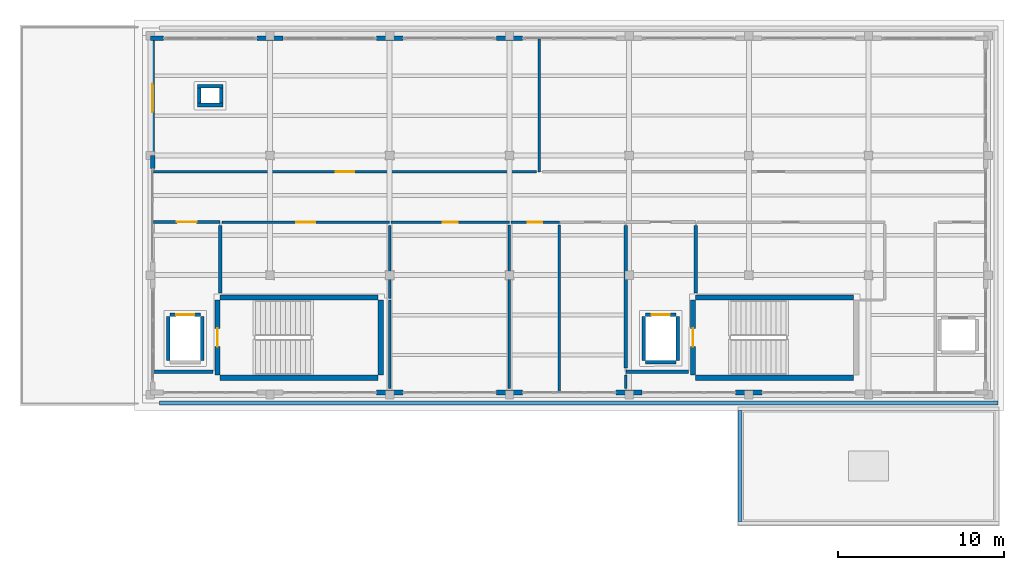
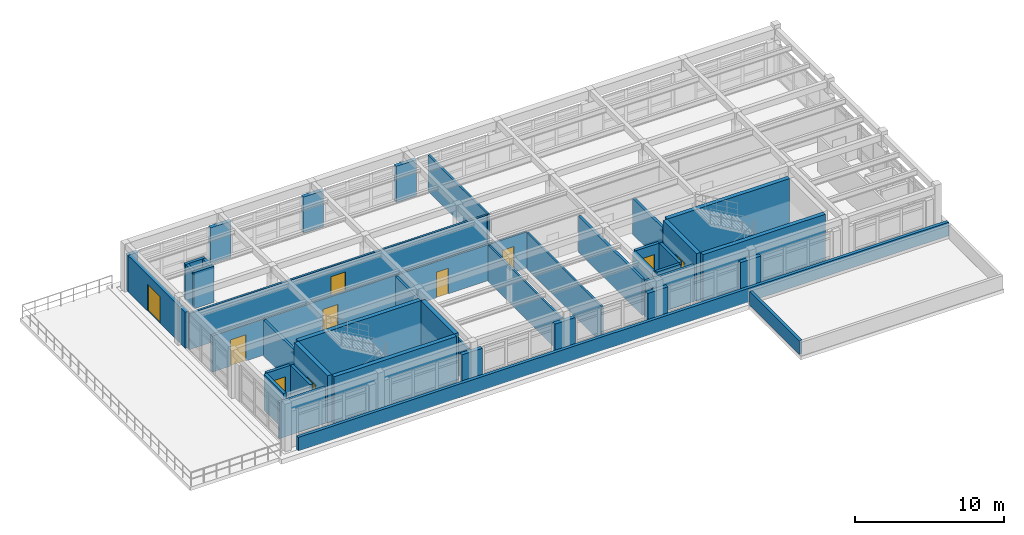
# One storey, part 11 of 15: 46 walls, 10 doors, 10 openings.
"""IFC4 building model written with IfcOpenShell, lengths in metres."""

from ifc_helpers import new_model, si_unit, direction, frame, frame_2d, origin, place, context, subcontext, project, spatial, rectangle, extrude, material, layer, layer_set, type_object, element, fill, save


model = new_model("IFC4")

# Units and contexts
model_context = context("Model", 3, precision=1e-05, world=origin(), true_north=direction((0.0, 1.0)))
body_context = subcontext(model_context, "Body", "Model", "MODEL_VIEW")
ifc_project = project(units=[si_unit("LENGTHUNIT", "METRE"), si_unit("AREAUNIT", "SQUARE_METRE"), si_unit("VOLUMEUNIT", "CUBIC_METRE"), si_unit("PLANEANGLEUNIT", "RADIAN"), si_unit("MASSUNIT", "GRAM", prefix="KILO")], contexts=[model_context])

# Site, building, storey
site_placement = place(None, origin())
site = spatial("IfcSite", under=ifc_project, at=site_placement, CompositionType="ELEMENT")
building_placement = place(site_placement, origin())
building = spatial("IfcBuilding", under=site, at=building_placement, Name="Solenvale Faculty of Natural Sciences", CompositionType="ELEMENT")
storey_placement = place(building_placement, frame((0.0, 0.0, 48.0)))
storey = spatial("IfcBuildingStorey", under=building, at=storey_placement, Name="L11", CompositionType="ELEMENT", Elevation=48.0)

# Wall, opening, door
ifc_material_1 = material(Name="Precast concrete 40 MPa", Category="concrete")
ifc_layer_1 = layer(ifc_material_1, 0.264892578125)
ifc_layer_set_1 = layer_set([ifc_layer_1], Name="Precast concrete 40 MPa")
wall_type_1 = type_object("IfcWallType", Name="WL-EXT-PRC-265", PredefinedType="STANDARD", material=ifc_layer_set_1)
wall_1_placement = place(storey_placement, frame((100.9326171875, 108.0, 0.0), z_axis=(0.0, 0.0, 1.0), x_axis=(0.0, 1.0, 0.0)))
wall_1 = element("IfcWall", 1, at=wall_1_placement, inside=storey, type_object=wall_type_1, Name="L11 Exterior Wall 3.1", PredefinedType="STANDARD", context=body_context, shape_type="SweptSolid", body=[
    extrude(rectangle(XDim=6.9150390625, YDim=0.264892578125, at=frame_2d((3.45751953125, 0.0))), origin(), (0.0, 0.0, 1.0), 2.9599609375),
])
opening_1_placement = place(wall_1_placement, frame((2.60791015625, 0.0, 0.0)))
opening_1 = element("IfcOpeningElement", 2, at=opening_1_placement, cuts=wall_1, Name="Opening TD-48", PredefinedType="OPENING", context=body_context, shape_type="SweptSolid", body=[
    extrude(rectangle(XDim=1.699951171875, YDim=2.199951171875, at=frame_2d((0.85009765625, 1.10009765625))), frame((0.0, 0.142333984375, 0.0), z_axis=(0.0, -1.0, 0.0), x_axis=(1.0, 0.0, 0.0)), (0.0, 0.0, 1.0), 0.284912109375),
])
ifc_material_2 = material(Name="Anodised bronze aluminium", Category="aluminium")
door_type_1 = type_object("IfcDoorType", Name="DR-TER-1700x2200", OperationType="NOTDEFINED", PredefinedType="DOOR", material=ifc_material_2)
door_1_placement = place(opening_1_placement, origin())
door_1 = element("IfcDoor", 3, at=door_1_placement, inside=storey, type_object=door_type_1, Name="L11 Exterior Terrace Door TD-48", OperationType="DOUBLE_DOOR_SINGLE_SWING", OverallHeight=2.199951171875, OverallWidth=1.699951171875, PredefinedType="DOOR", context=body_context, shape_type="SweptSolid", body=[
    extrude(rectangle(XDim=1.699951171875, YDim=2.199951171875, at=frame_2d((0.85009765625, 1.10009765625))), frame((0.0, 0.02490234375, 0.0), z_axis=(0.0, -1.0, 0.0), x_axis=(1.0, 0.0, 0.0)), (0.0, 0.0, 1.0), 0.050048828125),
])
fill(opening_1, door_1)

# Walls
ifc_layer_2 = layer(ifc_material_1, 0.284912109375)
ifc_layer_set_2 = layer_set([ifc_layer_2], Name="Precast concrete 40 MPa")
wall_type_2 = type_object("IfcWallType", Name="WL-EXT-PRC-285", PredefinedType="STANDARD", material=ifc_layer_set_2)
for number, where, z_axis, x_axis, name in (
    (4, (123.18798828125, 115.0576171875, 0.0), (0.0, 0.0, 1.0), (-1.0, 0.0, 0.0), "L11 Facade Closure Pier 2.B4-R"),
    (5, (115.988037109375, 115.0576171875, 0.0), (0.0, 0.0, 1.0), (-1.0, 0.0, 0.0), "L11 Facade Closure Pier 2.B5-R"),
):
    element("IfcWall", number, at=place(storey_placement, frame(where, z_axis=z_axis, x_axis=x_axis)), inside=storey, type_object=wall_type_2, Name=name, PredefinedType="STANDARD", context=body_context, shape_type="SweptSolid", body=[
        extrude(rectangle(XDim=1.575927734375, YDim=0.284912109375, at=frame_2d((0.7880859375, 0.0))), origin(), (0.0, 0.0, 1.0), 2.9599609375),
    ])
wall_2_placement = place(storey_placement, frame((108.7880859375, 115.0576171875, 0.0), z_axis=(0.0, 0.0, 1.0), x_axis=(-1.0, 0.0, 0.0)))
element("IfcWall", 6, at=wall_2_placement, inside=storey, type_object=wall_type_2, Name="L11 Facade Closure Pier 2.B6-R", PredefinedType="STANDARD", context=body_context, shape_type="SweptSolid", body=[
    extrude(rectangle(XDim=1.576171875, YDim=0.284912109375, at=frame_2d((0.7880859375, 0.0))), origin(), (0.0, 0.0, 1.0), 2.9599609375),
])
wall_3_placement = place(storey_placement, frame((101.587890625, 115.0576171875, 0.0), z_axis=(0.0, 0.0, 1.0), x_axis=(-1.0, 0.0, 0.0)))
element("IfcWall", 7, at=wall_3_placement, inside=storey, type_object=wall_type_2, Name="L11 Facade Closure Pier 2.B7-R", PredefinedType="STANDARD", context=body_context, shape_type="SweptSolid", body=[
    extrude(rectangle(XDim=0.787841796875, YDim=0.284912109375, at=frame_2d((0.39404296875, 0.0))), origin(), (0.0, 0.0, 1.0), 2.9599609375),
])
wall_4_placement = place(storey_placement, frame((100.9423828125, 108.0, 0.0), z_axis=(0.0, 0.0, 1.0), x_axis=(0.0, -1.0, 0.0)))
element("IfcWall", 8, at=wall_4_placement, inside=storey, type_object=wall_type_2, Name="L11 Facade Closure Pier 3.B2-L", PredefinedType="STANDARD", context=body_context, shape_type="SweptSolid", body=[
    extrude(rectangle(XDim=0.7880859375, YDim=0.284912109375, at=frame_2d((0.39404296875, 0.0))), origin(), (0.0, 0.0, 1.0), 2.9599609375),
])
for number, where, z_axis, x_axis, name in (
    (9, (114.412109375, 93.742431640625, 0.0), (0.0, 0.0, 1.0), (1.0, 0.0, 0.0), "L11 Facade Closure Pier 4.B2-R"),
    (10, (121.612060546875, 93.742431640625, 0.0), (0.0, 0.0, 1.0), (1.0, 0.0, 0.0), "L11 Facade Closure Pier 4.B3-R"),
    (11, (128.81201171875, 93.742431640625, 0.0), (0.0, 0.0, 1.0), (1.0, 0.0, 0.0), "L11 Facade Closure Pier 4.B4-R"),
    (12, (136.011962890625, 93.742431640625, 0.0), (0.0, 0.0, 1.0), (1.0, 0.0, 0.0), "L11 Facade Closure Pier 4.B5-R"),
):
    element("IfcWall", number, at=place(storey_placement, frame(where, z_axis=z_axis, x_axis=x_axis)), inside=storey, type_object=wall_type_2, Name=name, PredefinedType="STANDARD", context=body_context, shape_type="SweptSolid", body=[
        extrude(rectangle(XDim=1.575927734375, YDim=0.284912109375, at=frame_2d((0.7880859375, 0.0))), origin(), (0.0, 0.0, 1.0), 2.9599609375),
    ])
ifc_material_3 = material(Name="Gypsum fire-rated shaftwall")
ifc_layer_3 = layer(ifc_material_3, 0.205078125)
ifc_layer_set_3 = layer_set([ifc_layer_3], Name="Gypsum fire-rated shaftwall")
wall_type_3 = type_object("IfcWallType", Name="WL-FFL-205", PredefinedType="PARTITIONING", material=ifc_layer_set_3)
wall_5_placement = place(storey_placement, frame((104.56591796875, 95.0, 0.0), z_axis=(0.0, 0.0, 1.0), x_axis=(-1.0, 0.0, 0.0)))
element("IfcWall", 13, at=wall_5_placement, inside=storey, type_object=wall_type_3, Name="L11 Firefighting Lobby C4 Partition 18", PredefinedType="PARTITIONING", context=body_context, shape_type="SweptSolid", body=[
    extrude(rectangle(XDim=3.5830078125, YDim=0.205078125, at=frame_2d((1.79150390625, 0.0))), origin(), (0.0, 0.0, 1.0), 2.9599609375),
])

# Wall, opening, door
wall_6_placement = place(storey_placement, frame((100.98291015625, 104.0, 0.0), z_axis=(0.0, 0.0, 1.0), x_axis=(1.0, 0.0, 0.0)))
wall_6 = element("IfcWall", 14, at=wall_6_placement, inside=storey, type_object=wall_type_3, Name="L11 Firefighting Lobby C4 Partition 20", PredefinedType="PARTITIONING", context=body_context, shape_type="SweptSolid", body=[
    extrude(rectangle(XDim=4.01708984375, YDim=0.205078125, at=frame_2d((2.008544921875, 0.0))), origin(), (0.0, 0.0, 1.0), 2.9599609375),
])
opening_2_placement = place(wall_6_placement, frame((1.407958984375, 0.0, 0.0)))
opening_2 = element("IfcOpeningElement", 15, at=opening_2_placement, cuts=wall_6, Name="Opening D-L11-01", PredefinedType="OPENING", context=body_context, shape_type="SweptSolid", body=[
    extrude(rectangle(XDim=1.199951171875, YDim=2.14990234375, at=frame_2d((0.60009765625, 1.074951171875))), frame((0.0, 0.112548828125, 0.0), z_axis=(0.0, -1.0, 0.0), x_axis=(1.0, 0.0, 0.0)), (0.0, 0.0, 1.0), 0.22509765625),
])
ifc_material_4 = material(Name="Galvanised steel S355", Category="steel")
door_type_2 = type_object("IfcDoorType", Name="DR-FFL-1200x2150", OperationType="NOTDEFINED", PredefinedType="DOOR", material=ifc_material_4)
door_2_placement = place(opening_2_placement, origin())
door_2 = element("IfcDoor", 16, at=door_2_placement, inside=storey, type_object=door_type_2, Name="L11 Firefighting Lobby C4 Door", OperationType="SINGLE_SWING_RIGHT", OverallHeight=2.14990234375, OverallWidth=1.199951171875, PredefinedType="DOOR", context=body_context, shape_type="SweptSolid", body=[
    extrude(rectangle(XDim=1.199951171875, YDim=2.14990234375, at=frame_2d((0.60009765625, 1.074951171875))), frame((0.0, 0.02490234375, 0.0), z_axis=(0.0, -1.0, 0.0), x_axis=(1.0, 0.0, 0.0)), (0.0, 0.0, 1.0), 0.050048828125),
])
fill(opening_2, door_2)

# Walls
for number, where, z_axis, x_axis, name in (
    (17, (105.0, 103.782958984375, 0.0), (0.0, 0.0, 1.0), (0.0, -1.0, 0.0), "L11 Firefighting Lobby C4 Partition 21"),
    (18, (133.60009765625, 103.782958984375, 0.0), (0.0, 0.0, 1.0), (0.0, -1.0, 0.0), "L11 Firefighting Lobby C5 Partition 2"),
):
    element("IfcWall", number, at=place(storey_placement, frame(where, z_axis=z_axis, x_axis=x_axis)), inside=storey, type_object=wall_type_3, Name=name, PredefinedType="PARTITIONING", context=body_context, shape_type="SweptSolid", body=[
        extrude(rectangle(XDim=4.049072265625, YDim=0.205078125, at=frame_2d((2.0244140625, 0.0))), origin(), (0.0, 0.0, 1.0), 2.9599609375),
    ])
wall_7_placement = place(storey_placement, frame((133.166015625, 95.0, 0.0), z_axis=(0.0, 0.0, 1.0), x_axis=(-1.0, 0.0, 0.0)))
element("IfcWall", 19, at=wall_7_placement, inside=storey, type_object=wall_type_3, Name="L11 Firefighting Lobby C5 Partition 20", PredefinedType="PARTITIONING", context=body_context, shape_type="SweptSolid", body=[
    extrude(rectangle(XDim=3.76611328125, YDim=0.205078125, at=frame_2d((1.883056640625, 0.0))), origin(), (0.0, 0.0, 1.0), 2.9599609375),
])
wall_8_placement = place(storey_placement, frame((129.39990234375, 95.217041015625, 0.0), z_axis=(0.0, 0.0, 1.0), x_axis=(0.0, 1.0, 0.0)))
element("IfcWall", 20, at=wall_8_placement, inside=storey, type_object=wall_type_3, Name="L11 Firefighting Lobby C5 Partition 21", PredefinedType="PARTITIONING", context=body_context, shape_type="SweptSolid", body=[
    extrude(rectangle(XDim=8.56591796875, YDim=0.205078125, at=frame_2d((4.282958984375, 0.0))), origin(), (0.0, 0.0, 1.0), 2.9599609375),
])
ifc_material_5 = material(Name="Acoustic stud gypsum partition")
ifc_layer_4 = layer(ifc_material_5, 0.14794921875)
ifc_layer_set_4 = layer_set([ifc_layer_4], Name="Acoustic stud gypsum partition")
wall_type_4 = type_object("IfcWallType", Name="WL-OFF-148", PredefinedType="PARTITIONING", material=ifc_layer_set_4)
wall_9_placement = place(storey_placement, frame((115.199951171875, 93.970947265625, 0.0), z_axis=(0.0, 0.0, 1.0), x_axis=(0.0, 1.0, 0.0)))
element("IfcWall", 21, at=wall_9_placement, inside=storey, type_object=wall_type_4, Name="L11 Visiting Scholars Faculty Staff Office Partition 1", PredefinedType="PARTITIONING", context=body_context, shape_type="SweptSolid", body=[
    extrude(rectangle(XDim=5.343017578125, YDim=0.14794921875, at=frame_2d((2.67138671875, 0.0))), origin(), (0.0, 0.0, 1.0), 2.9599609375),
])

# Wall, opening, door
wall_10_placement = place(storey_placement, frame((115.285888671875, 103.97998046875, 0.0), z_axis=(0.0, 0.0, 1.0), x_axis=(1.0, 0.0, 0.0)))
wall_10 = element("IfcWall", 22, at=wall_10_placement, inside=storey, type_object=wall_type_4, Name="L11 Visiting Scholars Faculty Staff Office Partition 19", PredefinedType="PARTITIONING", context=body_context, shape_type="SweptSolid", body=[
    extrude(rectangle(XDim=7.114013671875, YDim=0.14794921875, at=frame_2d((3.55712890625, 0.0))), origin(), (0.0, 0.0, 1.0), 2.9599609375),
])
opening_3_placement = place(wall_10_placement, frame((3.096923828125, 0.0, 0.0)))
opening_3 = element("IfcOpeningElement", 23, at=opening_3_placement, cuts=wall_10, Name="Opening D-L11-06", PredefinedType="OPENING", context=body_context, shape_type="SweptSolid", body=[
    extrude(rectangle(XDim=0.919921875, YDim=2.10009765625, at=frame_2d((0.4599609375, 1.050048828125))), frame((0.0, 0.083984375, 0.0), z_axis=(0.0, -1.0, 0.0), x_axis=(1.0, 0.0, 0.0)), (0.0, 0.0, 1.0), 0.16796875),
])
ifc_material_6 = material(Name="Oak acoustic timber leaf", Category="wood")
door_type_3 = type_object("IfcDoorType", Name="DR-OFF-0920x2100", OperationType="NOTDEFINED", PredefinedType="DOOR", material=ifc_material_6)
door_3_placement = place(opening_3_placement, origin())
door_3 = element("IfcDoor", 24, at=door_3_placement, inside=storey, type_object=door_type_3, Name="L11 Visiting Scholars Faculty Staff Office Door", OperationType="SINGLE_SWING_LEFT", OverallHeight=2.10009765625, OverallWidth=0.919921875, PredefinedType="DOOR", context=body_context, shape_type="SweptSolid", body=[
    extrude(rectangle(XDim=0.919921875, YDim=2.10009765625, at=frame_2d((0.4599609375, 1.050048828125))), frame((0.0, 0.02490234375, 0.0), z_axis=(0.0, -1.0, 0.0), x_axis=(1.0, 0.0, 0.0)), (0.0, 0.0, 1.0), 0.050048828125),
])
fill(opening_3, door_3)

# Walls
wall_11_placement = place(storey_placement, frame((122.39990234375, 103.820068359375, 0.0), z_axis=(0.0, 0.0, 1.0), x_axis=(0.0, -1.0, 0.0)))
element("IfcWall", 25, at=wall_11_placement, inside=storey, type_object=wall_type_4, Name="L11 Visiting Scholars Faculty Staff Office Partition 20", PredefinedType="PARTITIONING", context=body_context, shape_type="SweptSolid", body=[
    extrude(rectangle(XDim=9.84912109375, YDim=0.14794921875, at=frame_2d((4.924560546875, 0.0))), origin(), (0.0, 0.0, 1.0), 2.9599609375),
])
ifc_material_7 = material(Name="Architectural bronze concrete 40 MPa", Category="concrete")
ifc_layer_5 = layer(ifc_material_7, 0.239990234375)
ifc_layer_set_5 = layer_set([ifc_layer_5], Name="Architectural bronze concrete 40 MPa")
wall_type_5 = type_object("IfcWallType", Name="WL-PAR-BRZ-240", PredefinedType="PARAPET", material=ifc_layer_set_5)
wall_12_placement = place(storey_placement, frame((151.800048828125, 93.1201171875, 0.0), z_axis=(0.0, 0.0, 1.0), x_axis=(-1.0, 0.0, 0.0)))
element("IfcWall", 26, at=wall_12_placement, inside=storey, type_object=wall_type_5, Name="L11 Tower Horizontal Concrete Band 3", PredefinedType="PARAPET", context=body_context, shape_type="SweptSolid", body=[
    extrude(rectangle(XDim=50.43994140625, YDim=0.239990234375, at=frame_2d((25.219970703125, 0.0))), origin(), (0.0, 0.0, 1.0), 1.1201171875),
])
ifc_layer_6 = layer(ifc_material_1, 0.219970703125)
ifc_layer_set_6 = layer_set([ifc_layer_6], Name="Precast concrete 40 MPa")
wall_type_6 = type_object("IfcWallType", Name="WL-PAR-PRC-220", PredefinedType="PARAPET", material=ifc_layer_set_6)
wall_13_placement = place(storey_placement, frame((136.27001953125, 85.97998046875, 0.0), z_axis=(0.0, 0.0, 1.0), x_axis=(0.0, 1.0, 0.0)))
element("IfcWall", 27, at=wall_13_placement, inside=storey, type_object=wall_type_6, Name="L11 Roof Parapet 7.1", PredefinedType="PARAPET", context=body_context, shape_type="SweptSolid", body=[
    extrude(rectangle(XDim=6.679931640625, YDim=0.219970703125, at=frame_2d((3.33984375, 0.0))), origin(), (0.0, 0.0, 1.0), 1.1201171875),
])
ifc_material_8 = material(Name="Acoustic double-stud gypsum partition")
ifc_layer_7 = layer(ifc_material_8, 0.1650390625)
ifc_layer_set_7 = layer_set([ifc_layer_7], Name="Acoustic double-stud gypsum partition")
wall_type_7 = type_object("IfcWallType", Name="WL-SEM-165", PredefinedType="PARTITIONING", material=ifc_layer_set_7)
wall_14_placement = place(storey_placement, frame((124.199951171875, 115.01708984375, 0.0), z_axis=(0.0, 0.0, 1.0), x_axis=(0.0, -1.0, 0.0)))
element("IfcWall", 28, at=wall_14_placement, inside=storey, type_object=wall_type_7, Name="L11 Colloquium Seminar Room Partition 3", PredefinedType="PARTITIONING", context=body_context, shape_type="SweptSolid", body=[
    extrude(rectangle(XDim=7.9970703125, YDim=0.1650390625, at=frame_2d((3.99853515625, 0.0))), origin(), (0.0, 0.0, 1.0), 2.9599609375),
])

# Wall, opening, door
wall_15_placement = place(storey_placement, frame((124.02294921875, 107.02001953125, 0.0), z_axis=(0.0, 0.0, 1.0), x_axis=(-1.0, 0.0, 0.0)))
wall_15 = element("IfcWall", 29, at=wall_15_placement, inside=storey, type_object=wall_type_7, Name="L11 Colloquium Seminar Room Partition 4", PredefinedType="PARTITIONING", context=body_context, shape_type="SweptSolid", body=[
    extrude(rectangle(XDim=23.0400390625, YDim=0.1650390625, at=frame_2d((11.52001953125, 0.0))), origin(), (0.0, 0.0, 1.0), 2.9599609375),
])
opening_4_placement = place(wall_15_placement, frame((10.9599609375, 0.0, 0.0)))
opening_4 = element("IfcOpeningElement", 30, at=opening_4_placement, cuts=wall_15, Name="Opening D-L11-03", PredefinedType="OPENING", context=body_context, shape_type="SweptSolid", body=[
    extrude(rectangle(XDim=1.1201171875, YDim=2.14990234375, at=frame_2d((0.56005859375, 1.074951171875))), frame((0.0, 0.092529296875, 0.0), z_axis=(0.0, -1.0, 0.0), x_axis=(1.0, 0.0, 0.0)), (0.0, 0.0, 1.0), 0.18505859375),
])
door_type_4 = type_object("IfcDoorType", Name="DR-SEM-1120x2150", OperationType="NOTDEFINED", PredefinedType="DOOR", material=ifc_material_6)
door_4_placement = place(opening_4_placement, origin())
door_4 = element("IfcDoor", 31, at=door_4_placement, inside=storey, type_object=door_type_4, Name="L11 Colloquium Seminar Room Door", OperationType="SINGLE_SWING_RIGHT", OverallHeight=2.14990234375, OverallWidth=1.1201171875, PredefinedType="DOOR", context=body_context, shape_type="SweptSolid", body=[
    extrude(rectangle(XDim=1.1201171875, YDim=2.14990234375, at=frame_2d((0.56005859375, 1.074951171875))), frame((0.0, 0.02490234375, 0.0), z_axis=(0.0, -1.0, 0.0), x_axis=(1.0, 0.0, 0.0)), (0.0, 0.0, 1.0), 0.050048828125),
])
fill(opening_4, door_4)

ifc_layer_8 = layer(ifc_material_8, 0.169921875)
ifc_layer_set_8 = layer_set([ifc_layer_8], Name="Acoustic double-stud gypsum partition")
wall_type_8 = type_object("IfcWallType", Name="WL-SEM-170", PredefinedType="PARTITIONING", material=ifc_layer_set_8)
wall_16_placement = place(storey_placement, frame((105.096923828125, 103.97998046875, 0.0), z_axis=(0.0, 0.0, 1.0), x_axis=(1.0, 0.0, 0.0)))
wall_16 = element("IfcWall", 32, at=wall_16_placement, inside=storey, type_object=wall_type_8, Name="L11 Graduate Thesis Reading Room Partition 15", PredefinedType="PARTITIONING", context=body_context, shape_type="SweptSolid", body=[
    extrude(rectangle(XDim=10.10302734375, YDim=0.169921875, at=frame_2d((5.051513671875, 0.0))), origin(), (0.0, 0.0, 1.0), 2.9599609375),
])
opening_5_placement = place(wall_16_placement, frame((4.47705078125, 0.0, 0.0)))
opening_5 = element("IfcOpeningElement", 33, at=opening_5_placement, cuts=wall_16, Name="Opening D-L11-05", PredefinedType="OPENING", context=body_context, shape_type="SweptSolid", body=[
    extrude(rectangle(XDim=1.14990234375, YDim=2.14990234375, at=frame_2d((0.574951171875, 1.074951171875))), frame((0.0, 0.094970703125, 0.0), z_axis=(0.0, -1.0, 0.0), x_axis=(1.0, 0.0, 0.0)), (0.0, 0.0, 1.0), 0.18994140625),
])
door_type_5 = type_object("IfcDoorType", Name="DR-SEM-1150x2150", OperationType="NOTDEFINED", PredefinedType="DOOR", material=ifc_material_6)
door_5_placement = place(opening_5_placement, origin())
door_5 = element("IfcDoor", 34, at=door_5_placement, inside=storey, type_object=door_type_5, Name="L11 Graduate Thesis Reading Room Door", OperationType="SINGLE_SWING_RIGHT", OverallHeight=2.14990234375, OverallWidth=1.14990234375, PredefinedType="DOOR", context=body_context, shape_type="SweptSolid", body=[
    extrude(rectangle(XDim=1.14990234375, YDim=2.14990234375, at=frame_2d((0.574951171875, 1.074951171875))), frame((0.0, 0.02490234375, 0.0), z_axis=(0.0, -1.0, 0.0), x_axis=(1.0, 0.0, 0.0)), (0.0, 0.0, 1.0), 0.050048828125),
])
fill(opening_5, door_5)

# Wall
wall_17_placement = place(storey_placement, frame((115.199951171875, 103.798095703125, 0.0), z_axis=(0.0, 0.0, 1.0), x_axis=(0.0, -1.0, 0.0)))
element("IfcWall", 35, at=wall_17_placement, inside=storey, type_object=wall_type_8, Name="L11 Graduate Thesis Reading Room Partition 16", PredefinedType="PARTITIONING", context=body_context, shape_type="SweptSolid", body=[
    extrude(rectangle(XDim=4.398193359375, YDim=0.169921875, at=frame_2d((2.19921875, 0.0))), origin(), (0.0, 0.0, 1.0), 2.9599609375),
])

# Wall, opening, door
ifc_material_9 = material(Name="Concrete 40 MPa", Category="concrete")
ifc_layer_9 = layer(ifc_material_9, 0.219970703125)
ifc_layer_set_9 = layer_set([ifc_layer_9], Name="Concrete 40 MPa")
wall_type_9 = type_object("IfcWallType", Name="WL-SHF-220", PredefinedType="STANDARD", material=ifc_layer_set_9)
wall_18_placement = place(storey_placement, frame((101.97998046875, 98.429931640625, 0.0), z_axis=(0.0, 0.0, 1.0), x_axis=(1.0, 0.0, 0.0)))
wall_18 = element("IfcWall", 36, at=wall_18_placement, inside=storey, type_object=wall_type_9, Name="Elevator LF-01 L11 Shaft Wall N", PredefinedType="STANDARD", context=body_context, shape_type="SweptSolid", body=[
    extrude(rectangle(XDim=1.840087890625, YDim=0.219970703125, at=frame_2d((0.919921875, 0.0))), origin(), (0.0, 0.0, 1.0), 2.9599609375),
])
opening_6_placement = place(wall_18_placement, frame((0.3701171875, 0.0, 0.0)))
opening_6 = element("IfcOpeningElement", 37, at=opening_6_placement, cuts=wall_18, Name="Opening LD-LF-01-L11", PredefinedType="OPENING", context=body_context, shape_type="SweptSolid", body=[
    extrude(rectangle(XDim=1.10009765625, YDim=2.14990234375, at=frame_2d((0.550048828125, 1.074951171875))), frame((0.0, 0.119873046875, 0.0), z_axis=(0.0, -1.0, 0.0), x_axis=(1.0, 0.0, 0.0)), (0.0, 0.0, 1.0), 0.239990234375),
])
ifc_material_10 = material(Name="Stainless steel Grade 304", Category="steel")
door_type_6 = type_object("IfcDoorType", Name="DR-LIFT-1100x2150", OperationType="NOTDEFINED", PredefinedType="DOOR", material=ifc_material_10)
door_6_placement = place(opening_6_placement, origin())
door_6 = element("IfcDoor", 38, at=door_6_placement, inside=storey, type_object=door_type_6, Name="Elevator LF-01 L11 Sliding Landing Door", OperationType="SLIDING_TO_RIGHT", OverallHeight=2.14990234375, OverallWidth=1.10009765625, PredefinedType="DOOR", context=body_context, shape_type="SweptSolid", body=[
    extrude(rectangle(XDim=1.10009765625, YDim=2.14990234375, at=frame_2d((0.550048828125, 1.074951171875))), frame((0.0, 0.02490234375, 0.0), z_axis=(0.0, -1.0, 0.0), x_axis=(1.0, 0.0, 0.0)), (0.0, 0.0, 1.0), 0.050048828125),
])
fill(opening_6, door_6)

# Walls
for number, where, z_axis, x_axis, name in (
    (39, (101.8701171875, 95.679931640625, 0.0), (0.0, 0.0, 1.0), (0.0, 1.0, 0.0), "Elevator LF-01 L11 Shaft Wall W"),
    (40, (103.929931640625, 95.679931640625, 0.0), (0.0, 0.0, 1.0), (0.0, 1.0, 0.0), "Elevator LF-01 L11 Shaft Wall E"),
):
    element("IfcWall", number, at=place(storey_placement, frame(where, z_axis=z_axis, x_axis=x_axis)), inside=storey, type_object=wall_type_9, Name=name, PredefinedType="STANDARD", context=body_context, shape_type="SweptSolid", body=[
        extrude(rectangle(XDim=2.64013671875, YDim=0.219970703125, at=frame_2d((1.320068359375, 0.0))), origin(), (0.0, 0.0, 1.0), 2.9599609375),
    ])
wall_19_placement = place(storey_placement, frame((130.580078125, 95.570068359375, 0.0), z_axis=(0.0, 0.0, 1.0), x_axis=(1.0, 0.0, 0.0)))
element("IfcWall", 41, at=wall_19_placement, inside=storey, type_object=wall_type_9, Name="Elevator LF-02 L11 Shaft Wall S", PredefinedType="STANDARD", context=body_context, shape_type="SweptSolid", body=[
    extrude(rectangle(XDim=1.83984375, YDim=0.219970703125, at=frame_2d((0.919921875, 0.0))), origin(), (0.0, 0.0, 1.0), 2.9599609375),
])

# Wall, opening, door
wall_20_placement = place(storey_placement, frame((130.580078125, 98.429931640625, 0.0), z_axis=(0.0, 0.0, 1.0), x_axis=(1.0, 0.0, 0.0)))
wall_20 = element("IfcWall", 42, at=wall_20_placement, inside=storey, type_object=wall_type_9, Name="Elevator LF-02 L11 Shaft Wall N", PredefinedType="STANDARD", context=body_context, shape_type="SweptSolid", body=[
    extrude(rectangle(XDim=1.83984375, YDim=0.219970703125, at=frame_2d((0.919921875, 0.0))), origin(), (0.0, 0.0, 1.0), 2.9599609375),
])
opening_7_placement = place(wall_20_placement, frame((0.3701171875, 0.0, 0.0)))
opening_7 = element("IfcOpeningElement", 43, at=opening_7_placement, cuts=wall_20, Name="Opening LD-LF-02-L11", PredefinedType="OPENING", context=body_context, shape_type="SweptSolid", body=[
    extrude(rectangle(XDim=1.10009765625, YDim=2.14990234375, at=frame_2d((0.550048828125, 1.074951171875))), frame((0.0, 0.119873046875, 0.0), z_axis=(0.0, -1.0, 0.0), x_axis=(1.0, 0.0, 0.0)), (0.0, 0.0, 1.0), 0.239990234375),
])
door_7_placement = place(opening_7_placement, origin())
door_7 = element("IfcDoor", 44, at=door_7_placement, inside=storey, type_object=door_type_6, Name="Elevator LF-02 L11 Sliding Landing Door", OperationType="SLIDING_TO_RIGHT", OverallHeight=2.14990234375, OverallWidth=1.10009765625, PredefinedType="DOOR", context=body_context, shape_type="SweptSolid", body=[
    extrude(rectangle(XDim=1.10009765625, YDim=2.14990234375, at=frame_2d((0.550048828125, 1.074951171875))), frame((0.0, 0.02490234375, 0.0), z_axis=(0.0, -1.0, 0.0), x_axis=(1.0, 0.0, 0.0)), (0.0, 0.0, 1.0), 0.050048828125),
])
fill(opening_7, door_7)

# Walls
for number, where, z_axis, x_axis, name in (
    (45, (130.469970703125, 95.679931640625, 0.0), (0.0, 0.0, 1.0), (0.0, 1.0, 0.0), "Elevator LF-02 L11 Shaft Wall W"),
    (46, (132.530029296875, 95.679931640625, 0.0), (0.0, 0.0, 1.0), (0.0, 1.0, 0.0), "Elevator LF-02 L11 Shaft Wall E"),
):
    element("IfcWall", number, at=place(storey_placement, frame(where, z_axis=z_axis, x_axis=x_axis)), inside=storey, type_object=wall_type_9, Name=name, PredefinedType="STANDARD", context=body_context, shape_type="SweptSolid", body=[
        extrude(rectangle(XDim=2.64013671875, YDim=0.219970703125, at=frame_2d((1.320068359375, 0.0))), origin(), (0.0, 0.0, 1.0), 2.9599609375),
    ])
for number, where, z_axis, x_axis, name in (
    (47, (103.6298828125, 111.0400390625, 0.0), (0.0, 0.0, 1.0), (1.0, 0.0, 0.0), "L11 Service Riser Shaft 1 Wall S"),
    (48, (103.6298828125, 112.159912109375, 0.0), (0.0, 0.0, 1.0), (1.0, 0.0, 0.0), "L11 Service Riser Shaft 1 Wall N"),
):
    element("IfcWall", number, at=place(storey_placement, frame(where, z_axis=z_axis, x_axis=x_axis)), inside=storey, type_object=wall_type_9, Name=name, PredefinedType="STANDARD", context=body_context, shape_type="SweptSolid", body=[
        extrude(rectangle(XDim=1.5400390625, YDim=0.219970703125, at=frame_2d((0.77001953125, 0.0))), origin(), (0.0, 0.0, 1.0), 2.9599609375),
    ])
for number, where, z_axis, x_axis, name in (
    (49, (103.739990234375, 111.14990234375, 0.0), (0.0, 0.0, 1.0), (0.0, 1.0, 0.0), "L11 Service Riser Shaft 1 Wall W"),
    (50, (105.06005859375, 111.14990234375, 0.0), (0.0, 0.0, 1.0), (0.0, 1.0, 0.0), "L11 Service Riser Shaft 1 Wall E"),
):
    element("IfcWall", number, at=place(storey_placement, frame(where, z_axis=z_axis, x_axis=x_axis)), inside=storey, type_object=wall_type_9, Name=name, PredefinedType="STANDARD", context=body_context, shape_type="SweptSolid", body=[
        extrude(rectangle(XDim=0.900146484375, YDim=0.219970703125, at=frame_2d((0.4501953125, 0.0))), origin(), (0.0, 0.0, 1.0), 2.9599609375),
    ])
ifc_layer_10 = layer(ifc_material_9, 0.320068359375)
ifc_layer_set_10 = layer_set([ifc_layer_10], Name="Concrete 40 MPa")
wall_type_10 = type_object("IfcWallType", Name="WL-SHR-320", PredefinedType="SHEAR", material=ifc_layer_set_10)
for number, where, z_axis, x_axis, name in (
    (51, (105.0, 94.639892578125, 0.0), (0.0, 0.0, 1.0), (1.0, 0.0, 0.0), "Core C4 L11 Shear Wall S"),
    (52, (105.0, 99.4599609375, 0.0), (0.0, 0.0, 1.0), (1.0, 0.0, 0.0), "Core C4 L11 Shear Wall N"),
):
    element("IfcWall", number, at=place(storey_placement, frame(where, z_axis=z_axis, x_axis=x_axis)), inside=storey, type_object=wall_type_10, Name=name, PredefinedType="SHEAR", context=body_context, shape_type="SweptSolid", body=[
        extrude(rectangle(XDim=9.5, YDim=0.320068359375, at=frame_2d((4.75, 0.0))), origin(), (0.0, 0.0, 1.0), 3.919921875),
    ])

# Wall, opening, door
wall_21_placement = place(storey_placement, frame((104.840087890625, 94.800048828125, 0.0), z_axis=(0.0, 0.0, 1.0), x_axis=(0.0, 1.0, 0.0)))
wall_21 = element("IfcWall", 53, at=wall_21_placement, inside=storey, type_object=wall_type_10, Name="Core C4 L11 Shear Wall W", PredefinedType="SHEAR", context=body_context, shape_type="SweptSolid", body=[
    extrude(rectangle(XDim=4.5, YDim=0.320068359375, at=frame_2d((2.25, 0.0))), origin(), (0.0, 0.0, 1.0), 3.919921875),
])
opening_8_placement = place(wall_21_placement, frame((1.699951171875, 0.0, 0.0)))
opening_8 = element("IfcOpeningElement", 54, at=opening_8_placement, cuts=wall_21, Name="Opening DS-C4-L11", PredefinedType="OPENING", context=body_context, shape_type="SweptSolid", body=[
    extrude(rectangle(XDim=1.10009765625, YDim=2.14990234375, at=frame_2d((0.550048828125, 1.074951171875))), frame((0.0, 0.169921875, 0.0), z_axis=(0.0, -1.0, 0.0), x_axis=(1.0, 0.0, 0.0)), (0.0, 0.0, 1.0), 0.340087890625),
])
door_type_7 = type_object("IfcDoorType", Name="DR-STAIR-1100x2150", OperationType="NOTDEFINED", PredefinedType="DOOR", material=ifc_material_4)
door_8_placement = place(opening_8_placement, origin())
door_8 = element("IfcDoor", 55, at=door_8_placement, inside=storey, type_object=door_type_7, Name="L11 Stair ST-04 Fire Door", OperationType="SINGLE_SWING_RIGHT", OverallHeight=2.14990234375, OverallWidth=1.10009765625, PredefinedType="DOOR", context=body_context, shape_type="SweptSolid", body=[
    extrude(rectangle(XDim=1.10009765625, YDim=2.14990234375, at=frame_2d((0.550048828125, 1.074951171875))), frame((0.0, 0.02490234375, 0.0), z_axis=(0.0, -1.0, 0.0), x_axis=(1.0, 0.0, 0.0)), (0.0, 0.0, 1.0), 0.050048828125),
])
fill(opening_8, door_8)

# Walls
wall_22_placement = place(storey_placement, frame((114.659912109375, 94.800048828125, 0.0), z_axis=(0.0, 0.0, 1.0), x_axis=(0.0, 1.0, 0.0)))
element("IfcWall", 56, at=wall_22_placement, inside=storey, type_object=wall_type_10, Name="Core C4 L11 Shear Wall E", PredefinedType="SHEAR", context=body_context, shape_type="SweptSolid", body=[
    extrude(rectangle(XDim=4.5, YDim=0.320068359375, at=frame_2d((2.25, 0.0))), origin(), (0.0, 0.0, 1.0), 3.919921875),
])
for number, where, z_axis, x_axis, name in (
    (57, (133.60009765625, 94.639892578125, 0.0), (0.0, 0.0, 1.0), (1.0, 0.0, 0.0), "Core C5 L11 Shear Wall S"),
    (58, (133.60009765625, 99.4599609375, 0.0), (0.0, 0.0, 1.0), (1.0, 0.0, 0.0), "Core C5 L11 Shear Wall N"),
):
    element("IfcWall", number, at=place(storey_placement, frame(where, z_axis=z_axis, x_axis=x_axis)), inside=storey, type_object=wall_type_10, Name=name, PredefinedType="SHEAR", context=body_context, shape_type="SweptSolid", body=[
        extrude(rectangle(XDim=9.5, YDim=0.320068359375, at=frame_2d((4.75, 0.0))), origin(), (0.0, 0.0, 1.0), 3.919921875),
    ])

# Wall, opening, door
wall_23_placement = place(storey_placement, frame((133.43994140625, 94.800048828125, 0.0), z_axis=(0.0, 0.0, 1.0), x_axis=(0.0, 1.0, 0.0)))
wall_23 = element("IfcWall", 59, at=wall_23_placement, inside=storey, type_object=wall_type_10, Name="Core C5 L11 Shear Wall W", PredefinedType="SHEAR", context=body_context, shape_type="SweptSolid", body=[
    extrude(rectangle(XDim=4.5, YDim=0.320068359375, at=frame_2d((2.25, 0.0))), origin(), (0.0, 0.0, 1.0), 3.919921875),
])
opening_9_placement = place(wall_23_placement, frame((1.699951171875, 0.0, 0.0)))
opening_9 = element("IfcOpeningElement", 60, at=opening_9_placement, cuts=wall_23, Name="Opening DS-C5-L11", PredefinedType="OPENING", context=body_context, shape_type="SweptSolid", body=[
    extrude(rectangle(XDim=1.10009765625, YDim=2.14990234375, at=frame_2d((0.550048828125, 1.074951171875))), frame((0.0, 0.169921875, 0.0), z_axis=(0.0, -1.0, 0.0), x_axis=(1.0, 0.0, 0.0)), (0.0, 0.0, 1.0), 0.340087890625),
])
door_9_placement = place(opening_9_placement, origin())
door_9 = element("IfcDoor", 61, at=door_9_placement, inside=storey, type_object=door_type_7, Name="L11 Stair ST-05 Fire Door", OperationType="SINGLE_SWING_RIGHT", OverallHeight=2.14990234375, OverallWidth=1.10009765625, PredefinedType="DOOR", context=body_context, shape_type="SweptSolid", body=[
    extrude(rectangle(XDim=1.10009765625, YDim=2.14990234375, at=frame_2d((0.550048828125, 1.074951171875))), frame((0.0, 0.02490234375, 0.0), z_axis=(0.0, -1.0, 0.0), x_axis=(1.0, 0.0, 0.0)), (0.0, 0.0, 1.0), 0.050048828125),
])
fill(opening_9, door_9)

ifc_material_11 = material(Name="Moisture-resistant tile partition")
ifc_layer_11 = layer(ifc_material_11, 0.14990234375)
ifc_layer_set_11 = layer_set([ifc_layer_11], Name="Moisture-resistant tile partition")
wall_type_11 = type_object("IfcWallType", Name="WL-WC-150", PredefinedType="PARTITIONING", material=ifc_layer_set_11)
wall_24_placement = place(storey_placement, frame((122.487060546875, 103.97998046875, 0.0), z_axis=(0.0, 0.0, 1.0), x_axis=(1.0, 0.0, 0.0)))
wall_24 = element("IfcWall", 62, at=wall_24_placement, inside=storey, type_object=wall_type_11, Name="L11 Public Washroom Partition 2", PredefinedType="PARTITIONING", context=body_context, shape_type="SweptSolid", body=[
    extrude(rectangle(XDim=2.912841796875, YDim=0.14990234375, at=frame_2d((1.45654296875, 0.0))), origin(), (0.0, 0.0, 1.0), 2.9599609375),
])
opening_10_placement = place(wall_24_placement, frame((1.01708984375, 0.0, 0.0)))
opening_10 = element("IfcOpeningElement", 63, at=opening_10_placement, cuts=wall_24, Name="Opening D-L11-07", PredefinedType="OPENING", context=body_context, shape_type="SweptSolid", body=[
    extrude(rectangle(XDim=0.8798828125, YDim=2.10009765625, at=frame_2d((0.43994140625, 1.050048828125))), frame((0.0, 0.0849609375, 0.0), z_axis=(0.0, -1.0, 0.0), x_axis=(1.0, 0.0, 0.0)), (0.0, 0.0, 1.0), 0.169921875),
])
door_type_8 = type_object("IfcDoorType", Name="DR-WC-0880x2100", OperationType="NOTDEFINED", PredefinedType="DOOR", material=ifc_material_6)
door_10_placement = place(opening_10_placement, origin())
door_10 = element("IfcDoor", 64, at=door_10_placement, inside=storey, type_object=door_type_8, Name="L11 Public Washroom Door", OperationType="SINGLE_SWING_RIGHT", OverallHeight=2.10009765625, OverallWidth=0.8798828125, PredefinedType="DOOR", context=body_context, shape_type="SweptSolid", body=[
    extrude(rectangle(XDim=0.8798828125, YDim=2.10009765625, at=frame_2d((0.43994140625, 1.050048828125))), frame((0.0, 0.02490234375, 0.0), z_axis=(0.0, -1.0, 0.0), x_axis=(1.0, 0.0, 0.0)), (0.0, 0.0, 1.0), 0.050048828125),
])
fill(opening_10, door_10)

# Walls
wall_25_placement = place(storey_placement, frame((125.39990234375, 103.818115234375, 0.0), z_axis=(0.0, 0.0, 1.0), x_axis=(0.0, -1.0, 0.0)))
element("IfcWall", 65, at=wall_25_placement, inside=storey, type_object=wall_type_11, Name="L11 Public Washroom Partition 3", PredefinedType="PARTITIONING", context=body_context, shape_type="SweptSolid", body=[
    extrude(rectangle(XDim=10.03515625, YDim=0.14990234375, at=frame_2d((5.017578125, 0.0))), origin(), (0.0, 0.0, 1.0), 2.9599609375),
])
wall_26_placement = place(storey_placement, frame((129.39990234375, 94.81005859375, 0.0), z_axis=(0.0, 0.0, 1.0), x_axis=(0.0, -1.0, 0.0)))
element("IfcWall", 66, at=wall_26_placement, inside=storey, type_object=wall_type_11, Name="L11 Accessible Washroom Partition 20", PredefinedType="PARTITIONING", context=body_context, shape_type="SweptSolid", body=[
    extrude(rectangle(XDim=0.838134765625, YDim=0.14990234375, at=frame_2d((0.4189453125, 0.0))), origin(), (0.0, 0.0, 1.0), 2.9599609375),
])

save(model, "model.ifc")
